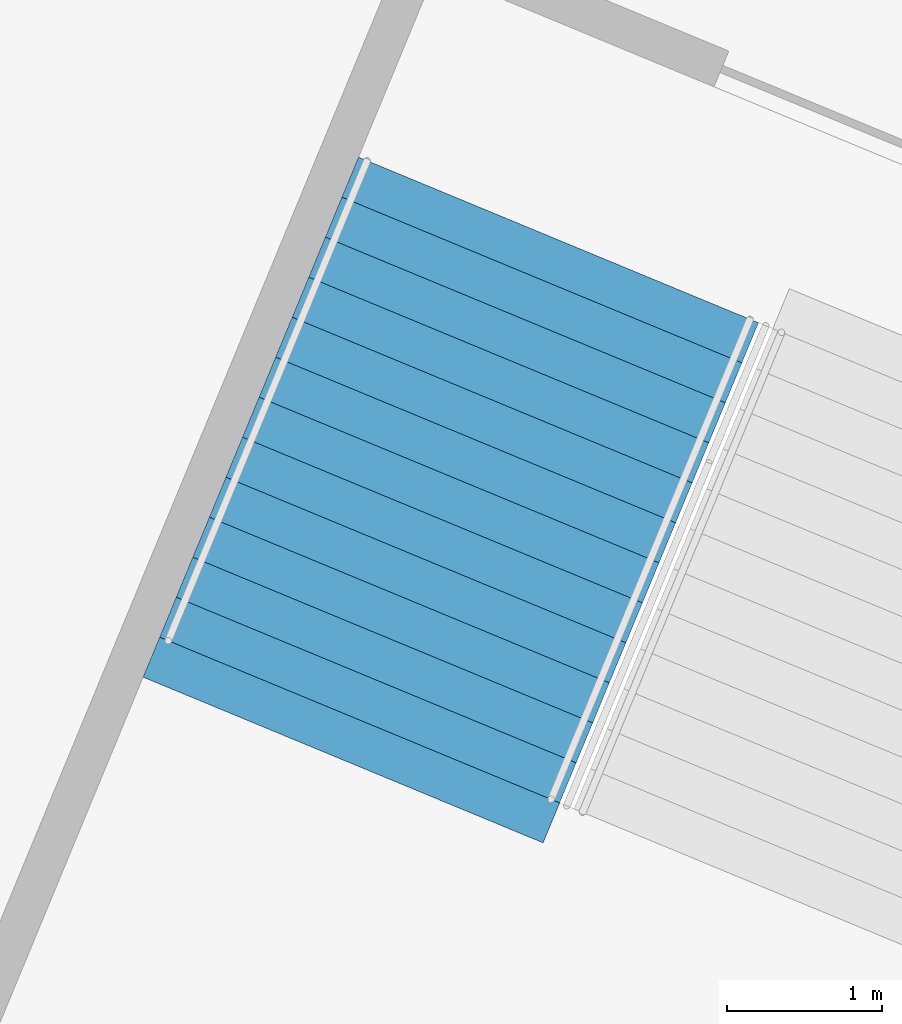
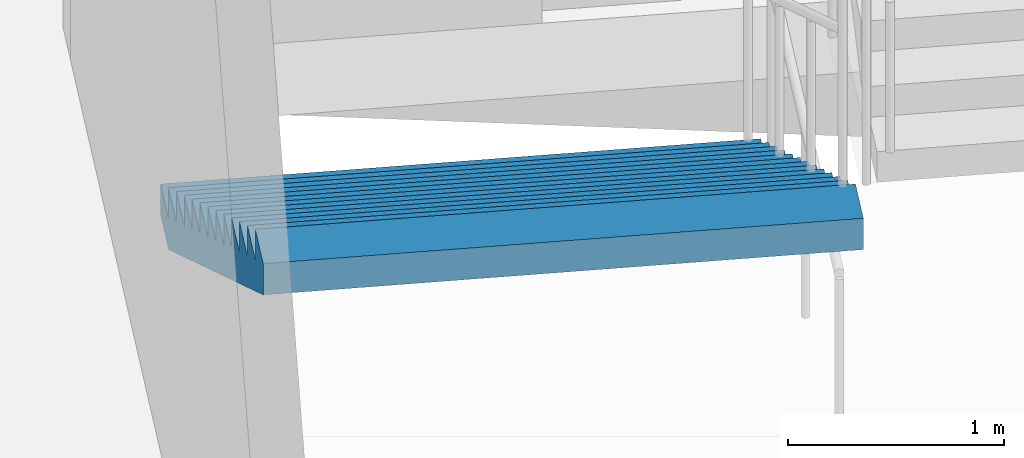
# One storey, part 129 of 249: 1 stair flight, 1 element without a shape of its own.
"""IFC4 building model written with IfcOpenShell, lengths in metres."""

from ifc_helpers import new_model, si_unit, direction, frame, origin, place, context, subcontext, project, spatial, faceted_brep, material, type_object, element, aggregate, save


model = new_model("IFC4")

# Units and contexts
model_context = context("Model", 3, precision=1e-05, world=origin(), true_north=direction((0.0, 1.0)))
body_context = subcontext(model_context, "Body", "Model", "MODEL_VIEW")
ifc_project = project(units=[si_unit("LENGTHUNIT", "METRE"), si_unit("AREAUNIT", "SQUARE_METRE"), si_unit("VOLUMEUNIT", "CUBIC_METRE"), si_unit("PLANEANGLEUNIT", "RADIAN"), si_unit("MASSUNIT", "GRAM", prefix="KILO")], contexts=[model_context])

# Site, building, storey
site_placement = place(None, origin())
site = spatial("IfcSite", under=ifc_project, at=site_placement, CompositionType="ELEMENT")
building_placement = place(site_placement, origin())
building = spatial("IfcBuilding", under=site, at=building_placement, Name="Ogive Plaza Stadium", CompositionType="ELEMENT")
storey_placement = place(building_placement, frame((0.0, 0.0, 13.5)))
storey = spatial("IfcBuildingStorey", under=building, at=storey_placement, Name="L03", CompositionType="ELEMENT", Elevation=13.5)

# Stair, stair flight
ifc_material_1 = material(Name="Concrete C40/50", Category="concrete")
stair_type = type_object("IfcStairType", Name="Exit stair", PredefinedType="STRAIGHT_RUN_STAIR", material=ifc_material_1)
stair_placement = place(storey_placement, origin())
stair = element("IfcStair", 1, at=stair_placement, inside=storey, type_object=stair_type, Name="Exit stair ST18A L03 to L04", PredefinedType="STRAIGHT_RUN_STAIR")
ifc_material_2 = material(Name="Concrete C40/50", Category="concrete")
stair_flight_type = type_object("IfcStairFlightType", Name="Exit stair flight", PredefinedType="STRAIGHT", material=ifc_material_2)
stair_flight_placement = place(storey_placement, frame((-54.294921875, -89.932861328125, 0.0), z_axis=(0.0, 0.0, 1.0), x_axis=(-0.382683432365, -0.923879532511, 0.0)))
stair_flight = element("IfcStairFlight", 2, at=stair_flight_placement, type_object=stair_flight_type, Name="ST18A flight 1", NumberOfRisers=13, NumberOfTreads=12, PredefinedType="STRAIGHT", RiserHeight=0.173076923, TreadLength=0.28, context=body_context, shape_type="Brep", body=[
    faceted_brep([(0.28515625, -1.39990234375, 0.0), (3.639892578125, -1.39990234375, 2.07373046875), (3.639892578125, -1.39990234375, 2.25), (3.360107421875, -1.39990234375, 2.25), (3.360107421875, -1.39990234375, 2.076904296875), (3.080078125, -1.39990234375, 2.076904296875), (3.080078125, -1.39990234375, 1.90380859375), (2.800048828125, -1.39990234375, 1.90380859375), (2.800048828125, -1.39990234375, 1.730712890625), (2.52001953125, -1.39990234375, 1.730712890625), (2.52001953125, -1.39990234375, 1.5576171875), (2.239990234375, -1.39990234375, 1.5576171875), (2.239990234375, -1.39990234375, 1.384521484375), (1.9599609375, -1.39990234375, 1.384521484375), (1.9599609375, -1.39990234375, 1.21142578125), (1.679931640625, -1.39990234375, 1.21142578125), (1.679931640625, -1.39990234375, 1.03857421875), (1.39990234375, -1.39990234375, 1.03857421875), (1.39990234375, -1.39990234375, 0.865478515625), (1.1201171875, -1.39990234375, 0.865478515625), (1.1201171875, -1.39990234375, 0.6923828125), (0.840087890625, -1.39990234375, 0.6923828125), (0.840087890625, -1.39990234375, 0.519287109375), (0.56005859375, -1.39990234375, 0.519287109375), (0.56005859375, -1.39990234375, 0.34619140625), (0.280029296875, -1.39990234375, 0.34619140625), (0.280029296875, -1.39990234375, 0.173095703125), (0.0, -1.39990234375, 0.173095703125), (0.0, -1.39990234375, 0.0), (0.0, 1.39990234375, 0.0), (0.0, 1.39990234375, 0.173095703125), (0.280029296875, 1.39990234375, 0.173095703125), (0.280029296875, 1.39990234375, 0.34619140625), (0.56005859375, 1.39990234375, 0.34619140625), (0.56005859375, 1.39990234375, 0.519287109375), (0.840087890625, 1.39990234375, 0.519287109375), (0.840087890625, 1.39990234375, 0.6923828125), (1.1201171875, 1.39990234375, 0.6923828125), (1.1201171875, 1.39990234375, 0.865478515625), (1.39990234375, 1.39990234375, 0.865478515625), (1.39990234375, 1.39990234375, 1.03857421875), (1.679931640625, 1.39990234375, 1.03857421875), (1.679931640625, 1.39990234375, 1.21142578125), (1.9599609375, 1.39990234375, 1.21142578125), (1.9599609375, 1.39990234375, 1.384521484375), (2.239990234375, 1.39990234375, 1.384521484375), (2.239990234375, 1.39990234375, 1.5576171875), (2.52001953125, 1.39990234375, 1.5576171875), (2.52001953125, 1.39990234375, 1.730712890625), (2.800048828125, 1.39990234375, 1.730712890625), (2.800048828125, 1.39990234375, 1.90380859375), (3.080078125, 1.39990234375, 1.90380859375), (3.080078125, 1.39990234375, 2.076904296875), (3.360107421875, 1.39990234375, 2.076904296875), (3.360107421875, 1.39990234375, 2.25), (3.639892578125, 1.39990234375, 2.25), (3.639892578125, 1.39990234375, 2.07373046875), (0.28515625, 1.39990234375, 0.0), (0.28515625, -1.0888671875, 0.0), (3.639892578125, -1.0888671875, 2.07373046875), (0.28515625, -0.77783203125, 0.0), (3.639892578125, -0.77783203125, 2.07373046875), (0.28515625, -0.466796875, 0.0), (3.639892578125, -0.466796875, 2.07373046875), (0.28515625, -0.155517578125, 0.0), (3.639892578125, -0.155517578125, 2.07373046875), (0.28515625, 0.155517578125, 0.0), (3.639892578125, 0.155517578125, 2.07373046875), (0.28515625, 0.466796875, 0.0), (3.639892578125, 0.466796875, 2.07373046875), (0.28515625, 0.77783203125, 0.0), (3.639892578125, 0.77783203125, 2.07373046875), (0.28515625, 1.0888671875, 0.0), (3.639892578125, 1.0888671875, 2.07373046875), (3.639892578125, -1.0888671875, 2.25), (3.639892578125, -0.77783203125, 2.25), (3.639892578125, -0.466796875, 2.25), (3.639892578125, -0.155517578125, 2.25), (3.639892578125, 0.155517578125, 2.25), (3.639892578125, 0.466796875, 2.25), (3.639892578125, 0.77783203125, 2.25), (3.639892578125, 1.0888671875, 2.25), (3.360107421875, -1.0888671875, 2.25), (3.360107421875, -0.77783203125, 2.25), (3.360107421875, -0.466796875, 2.25), (3.360107421875, -0.155517578125, 2.25), (3.360107421875, 0.155517578125, 2.25), (3.360107421875, 0.466796875, 2.25), (3.360107421875, 0.77783203125, 2.25), (3.360107421875, 1.0888671875, 2.25), (3.360107421875, -1.0888671875, 2.076904296875), (3.360107421875, -0.77783203125, 2.076904296875), (3.360107421875, -0.466796875, 2.076904296875), (3.360107421875, -0.155517578125, 2.076904296875), (3.360107421875, 0.155517578125, 2.076904296875), (3.360107421875, 0.466796875, 2.076904296875), (3.360107421875, 0.77783203125, 2.076904296875), (3.360107421875, 1.0888671875, 2.076904296875), (3.080078125, -1.0888671875, 2.076904296875), (3.080078125, -0.77783203125, 2.076904296875), (3.080078125, -0.466796875, 2.076904296875), (3.080078125, -0.155517578125, 2.076904296875), (3.080078125, 0.155517578125, 2.076904296875), (3.080078125, 0.466796875, 2.076904296875), (3.080078125, 0.77783203125, 2.076904296875), (3.080078125, 1.0888671875, 2.076904296875), (3.080078125, -1.0888671875, 1.90380859375), (3.080078125, -0.77783203125, 1.90380859375), (3.080078125, -0.466796875, 1.90380859375), (3.080078125, -0.155517578125, 1.90380859375), (3.080078125, 0.155517578125, 1.90380859375), (3.080078125, 0.466796875, 1.90380859375), (3.080078125, 0.77783203125, 1.90380859375), (3.080078125, 1.0888671875, 1.90380859375), (2.800048828125, -1.0888671875, 1.90380859375), (2.800048828125, -0.77783203125, 1.90380859375), (2.800048828125, -0.466796875, 1.90380859375), (2.800048828125, -0.155517578125, 1.90380859375), (2.800048828125, 0.155517578125, 1.90380859375), (2.800048828125, 0.466796875, 1.90380859375), (2.800048828125, 0.77783203125, 1.90380859375), (2.800048828125, 1.0888671875, 1.90380859375), (2.800048828125, -1.0888671875, 1.730712890625), (2.800048828125, -0.77783203125, 1.730712890625), (2.800048828125, -0.466796875, 1.730712890625), (2.800048828125, -0.155517578125, 1.730712890625), (2.800048828125, 0.155517578125, 1.730712890625), (2.800048828125, 0.466796875, 1.730712890625), (2.800048828125, 0.77783203125, 1.730712890625), (2.800048828125, 1.0888671875, 1.730712890625), (2.52001953125, -1.0888671875, 1.730712890625), (2.52001953125, -0.77783203125, 1.730712890625), (2.52001953125, -0.466796875, 1.730712890625), (2.52001953125, -0.155517578125, 1.730712890625), (2.52001953125, 0.155517578125, 1.730712890625), (2.52001953125, 0.466796875, 1.730712890625), (2.52001953125, 0.77783203125, 1.730712890625), (2.52001953125, 1.0888671875, 1.730712890625), (2.52001953125, -1.0888671875, 1.5576171875), (2.52001953125, -0.77783203125, 1.5576171875), (2.52001953125, -0.466796875, 1.5576171875), (2.52001953125, -0.155517578125, 1.5576171875), (2.52001953125, 0.155517578125, 1.5576171875), (2.52001953125, 0.466796875, 1.5576171875), (2.52001953125, 0.77783203125, 1.5576171875), (2.52001953125, 1.0888671875, 1.5576171875), (2.239990234375, -1.0888671875, 1.5576171875), (2.239990234375, -0.77783203125, 1.5576171875), (2.239990234375, -0.466796875, 1.5576171875), (2.239990234375, -0.155517578125, 1.5576171875), (2.239990234375, 0.155517578125, 1.5576171875), (2.239990234375, 0.466796875, 1.5576171875), (2.239990234375, 0.77783203125, 1.5576171875), (2.239990234375, 1.0888671875, 1.5576171875), (2.239990234375, -1.0888671875, 1.384521484375), (2.239990234375, -0.77783203125, 1.384521484375), (2.239990234375, -0.466796875, 1.384521484375), (2.239990234375, -0.155517578125, 1.384521484375), (2.239990234375, 0.155517578125, 1.384521484375), (2.239990234375, 0.466796875, 1.384521484375), (2.239990234375, 0.77783203125, 1.384521484375), (2.239990234375, 1.0888671875, 1.384521484375), (1.9599609375, -1.0888671875, 1.384521484375), (1.9599609375, -0.77783203125, 1.384521484375), (1.9599609375, -0.466796875, 1.384521484375), (1.9599609375, -0.155517578125, 1.384521484375), (1.9599609375, 0.155517578125, 1.384521484375), (1.9599609375, 0.466796875, 1.384521484375), (1.9599609375, 0.77783203125, 1.384521484375), (1.9599609375, 1.0888671875, 1.384521484375), (1.9599609375, -1.0888671875, 1.21142578125), (1.9599609375, -0.77783203125, 1.21142578125), (1.9599609375, -0.466796875, 1.21142578125), (1.9599609375, -0.155517578125, 1.21142578125), (1.9599609375, 0.155517578125, 1.21142578125), (1.9599609375, 0.466796875, 1.21142578125), (1.9599609375, 0.77783203125, 1.21142578125), (1.9599609375, 1.0888671875, 1.21142578125), (1.679931640625, -1.0888671875, 1.21142578125), (1.679931640625, -0.77783203125, 1.21142578125), (1.679931640625, -0.466796875, 1.21142578125), (1.679931640625, -0.155517578125, 1.21142578125), (1.679931640625, 0.155517578125, 1.21142578125), (1.679931640625, 0.466796875, 1.21142578125), (1.679931640625, 0.77783203125, 1.21142578125), (1.679931640625, 1.0888671875, 1.21142578125), (1.679931640625, -1.0888671875, 1.03857421875), (1.679931640625, -0.77783203125, 1.03857421875), (1.679931640625, -0.466796875, 1.03857421875), (1.679931640625, -0.155517578125, 1.03857421875), (1.679931640625, 0.155517578125, 1.03857421875), (1.679931640625, 0.466796875, 1.03857421875), (1.679931640625, 0.77783203125, 1.03857421875), (1.679931640625, 1.0888671875, 1.03857421875), (1.39990234375, -1.0888671875, 1.03857421875), (1.39990234375, -0.77783203125, 1.03857421875), (1.39990234375, -0.466796875, 1.03857421875), (1.39990234375, -0.155517578125, 1.03857421875), (1.39990234375, 0.155517578125, 1.03857421875), (1.39990234375, 0.466796875, 1.03857421875), (1.39990234375, 0.77783203125, 1.03857421875), (1.39990234375, 1.0888671875, 1.03857421875), (1.39990234375, -1.0888671875, 0.865478515625), (1.39990234375, -0.77783203125, 0.865478515625), (1.39990234375, -0.466796875, 0.865478515625), (1.39990234375, -0.155517578125, 0.865478515625), (1.39990234375, 0.155517578125, 0.865478515625), (1.39990234375, 0.466796875, 0.865478515625), (1.39990234375, 0.77783203125, 0.865478515625), (1.39990234375, 1.0888671875, 0.865478515625), (1.1201171875, -1.0888671875, 0.865478515625), (1.1201171875, -0.77783203125, 0.865478515625), (1.1201171875, -0.466796875, 0.865478515625), (1.1201171875, -0.155517578125, 0.865478515625), (1.1201171875, 0.155517578125, 0.865478515625), (1.1201171875, 0.466796875, 0.865478515625), (1.1201171875, 0.77783203125, 0.865478515625), (1.1201171875, 1.0888671875, 0.865478515625), (1.1201171875, -1.0888671875, 0.6923828125), (1.1201171875, -0.77783203125, 0.6923828125), (1.1201171875, -0.466796875, 0.6923828125), (1.1201171875, -0.155517578125, 0.6923828125), (1.1201171875, 0.155517578125, 0.6923828125), (1.1201171875, 0.466796875, 0.6923828125), (1.1201171875, 0.77783203125, 0.6923828125), (1.1201171875, 1.0888671875, 0.6923828125), (0.840087890625, -1.0888671875, 0.6923828125), (0.840087890625, -0.77783203125, 0.6923828125), (0.840087890625, -0.466796875, 0.6923828125), (0.840087890625, -0.155517578125, 0.6923828125), (0.840087890625, 0.155517578125, 0.6923828125), (0.840087890625, 0.466796875, 0.6923828125), (0.840087890625, 0.77783203125, 0.6923828125), (0.840087890625, 1.0888671875, 0.6923828125), (0.840087890625, -1.0888671875, 0.519287109375), (0.840087890625, -0.77783203125, 0.519287109375), (0.840087890625, -0.466796875, 0.519287109375), (0.840087890625, -0.155517578125, 0.519287109375), (0.840087890625, 0.155517578125, 0.519287109375), (0.840087890625, 0.466796875, 0.519287109375), (0.840087890625, 0.77783203125, 0.519287109375), (0.840087890625, 1.0888671875, 0.519287109375), (0.56005859375, -1.0888671875, 0.519287109375), (0.56005859375, -0.77783203125, 0.519287109375), (0.56005859375, -0.466796875, 0.519287109375), (0.56005859375, -0.155517578125, 0.519287109375), (0.56005859375, 0.155517578125, 0.519287109375), (0.56005859375, 0.466796875, 0.519287109375), (0.56005859375, 0.77783203125, 0.519287109375), (0.56005859375, 1.0888671875, 0.519287109375), (0.56005859375, -1.0888671875, 0.34619140625), (0.56005859375, -0.77783203125, 0.34619140625), (0.56005859375, -0.466796875, 0.34619140625), (0.56005859375, -0.155517578125, 0.34619140625), (0.56005859375, 0.155517578125, 0.34619140625), (0.56005859375, 0.466796875, 0.34619140625), (0.56005859375, 0.77783203125, 0.34619140625), (0.56005859375, 1.0888671875, 0.34619140625), (0.280029296875, -1.0888671875, 0.34619140625), (0.280029296875, -0.77783203125, 0.34619140625), (0.280029296875, -0.466796875, 0.34619140625), (0.280029296875, -0.155517578125, 0.34619140625), (0.280029296875, 0.155517578125, 0.34619140625), (0.280029296875, 0.466796875, 0.34619140625), (0.280029296875, 0.77783203125, 0.34619140625), (0.280029296875, 1.0888671875, 0.34619140625), (0.280029296875, -1.0888671875, 0.173095703125), (0.280029296875, -0.77783203125, 0.173095703125), (0.280029296875, -0.466796875, 0.173095703125), (0.280029296875, -0.155517578125, 0.173095703125), (0.280029296875, 0.155517578125, 0.173095703125), (0.280029296875, 0.466796875, 0.173095703125), (0.280029296875, 0.77783203125, 0.173095703125), (0.280029296875, 1.0888671875, 0.173095703125), (0.0, -1.0888671875, 0.173095703125), (0.0, -0.77783203125, 0.173095703125), (0.0, -0.466796875, 0.173095703125), (0.0, -0.155517578125, 0.173095703125), (0.0, 0.155517578125, 0.173095703125), (0.0, 0.466796875, 0.173095703125), (0.0, 0.77783203125, 0.173095703125), (0.0, 1.0888671875, 0.173095703125), (0.0, -1.0888671875, 0.0), (0.0, -0.77783203125, 0.0), (0.0, -0.466796875, 0.0), (0.0, -0.155517578125, 0.0), (0.0, 0.155517578125, 0.0), (0.0, 0.466796875, 0.0), (0.0, 0.77783203125, 0.0), (0.0, 1.0888671875, 0.0)], [[[0, 1, 2, 3, 4, 5, 6, 7, 8, 9, 10, 11, 12, 13, 14, 15, 16, 17, 18, 19, 20, 21, 22, 23, 24, 25, 26, 27, 28]], [[29, 30, 31, 32, 33, 34, 35, 36, 37, 38, 39, 40, 41, 42, 43, 44, 45, 46, 47, 48, 49, 50, 51, 52, 53, 54, 55, 56, 57]], [[0, 58, 59, 1]], [[58, 60, 61, 59]], [[60, 62, 63, 61]], [[62, 64, 65, 63]], [[64, 66, 67, 65]], [[66, 68, 69, 67]], [[68, 70, 71, 69]], [[70, 72, 73, 71]], [[72, 57, 56, 73]], [[1, 59, 74, 2]], [[59, 61, 75, 74]], [[61, 63, 76, 75]], [[63, 65, 77, 76]], [[65, 67, 78, 77]], [[67, 69, 79, 78]], [[69, 71, 80, 79]], [[71, 73, 81, 80]], [[73, 56, 55, 81]], [[2, 74, 82, 3]], [[74, 75, 83, 82]], [[75, 76, 84, 83]], [[76, 77, 85, 84]], [[77, 78, 86, 85]], [[78, 79, 87, 86]], [[79, 80, 88, 87]], [[80, 81, 89, 88]], [[81, 55, 54, 89]], [[3, 82, 90, 4]], [[82, 83, 91, 90]], [[83, 84, 92, 91]], [[84, 85, 93, 92]], [[85, 86, 94, 93]], [[86, 87, 95, 94]], [[87, 88, 96, 95]], [[88, 89, 97, 96]], [[89, 54, 53, 97]], [[4, 90, 98, 5]], [[90, 91, 99, 98]], [[91, 92, 100, 99]], [[92, 93, 101, 100]], [[93, 94, 102, 101]], [[94, 95, 103, 102]], [[95, 96, 104, 103]], [[96, 97, 105, 104]], [[97, 53, 52, 105]], [[5, 98, 106, 6]], [[98, 99, 107, 106]], [[99, 100, 108, 107]], [[100, 101, 109, 108]], [[101, 102, 110, 109]], [[102, 103, 111, 110]], [[103, 104, 112, 111]], [[104, 105, 113, 112]], [[105, 52, 51, 113]], [[6, 106, 114, 7]], [[106, 107, 115, 114]], [[107, 108, 116, 115]], [[108, 109, 117, 116]], [[109, 110, 118, 117]], [[110, 111, 119, 118]], [[111, 112, 120, 119]], [[112, 113, 121, 120]], [[113, 51, 50, 121]], [[7, 114, 122, 8]], [[114, 115, 123, 122]], [[115, 116, 124, 123]], [[116, 117, 125, 124]], [[117, 118, 126, 125]], [[118, 119, 127, 126]], [[119, 120, 128, 127]], [[120, 121, 129, 128]], [[121, 50, 49, 129]], [[8, 122, 130, 9]], [[122, 123, 131, 130]], [[123, 124, 132, 131]], [[124, 125, 133, 132]], [[125, 126, 134, 133]], [[126, 127, 135, 134]], [[127, 128, 136, 135]], [[128, 129, 137, 136]], [[129, 49, 48, 137]], [[9, 130, 138, 10]], [[130, 131, 139, 138]], [[131, 132, 140, 139]], [[132, 133, 141, 140]], [[133, 134, 142, 141]], [[134, 135, 143, 142]], [[135, 136, 144, 143]], [[136, 137, 145, 144]], [[137, 48, 47, 145]], [[10, 138, 146, 11]], [[138, 139, 147, 146]], [[139, 140, 148, 147]], [[140, 141, 149, 148]], [[141, 142, 150, 149]], [[142, 143, 151, 150]], [[143, 144, 152, 151]], [[144, 145, 153, 152]], [[145, 47, 46, 153]], [[11, 146, 154, 12]], [[146, 147, 155, 154]], [[147, 148, 156, 155]], [[148, 149, 157, 156]], [[149, 150, 158, 157]], [[150, 151, 159, 158]], [[151, 152, 160, 159]], [[152, 153, 161, 160]], [[153, 46, 45, 161]], [[12, 154, 162, 13]], [[154, 155, 163, 162]], [[155, 156, 164, 163]], [[156, 157, 165, 164]], [[157, 158, 166, 165]], [[158, 159, 167, 166]], [[159, 160, 168, 167]], [[160, 161, 169, 168]], [[161, 45, 44, 169]], [[13, 162, 170, 14]], [[162, 163, 171, 170]], [[163, 164, 172, 171]], [[164, 165, 173, 172]], [[165, 166, 174, 173]], [[166, 167, 175, 174]], [[167, 168, 176, 175]], [[168, 169, 177, 176]], [[169, 44, 43, 177]], [[14, 170, 178, 15]], [[170, 171, 179, 178]], [[171, 172, 180, 179]], [[172, 173, 181, 180]], [[173, 174, 182, 181]], [[174, 175, 183, 182]], [[175, 176, 184, 183]], [[176, 177, 185, 184]], [[177, 43, 42, 185]], [[15, 178, 186, 16]], [[178, 179, 187, 186]], [[179, 180, 188, 187]], [[180, 181, 189, 188]], [[181, 182, 190, 189]], [[182, 183, 191, 190]], [[183, 184, 192, 191]], [[184, 185, 193, 192]], [[185, 42, 41, 193]], [[16, 186, 194, 17]], [[186, 187, 195, 194]], [[187, 188, 196, 195]], [[188, 189, 197, 196]], [[189, 190, 198, 197]], [[190, 191, 199, 198]], [[191, 192, 200, 199]], [[192, 193, 201, 200]], [[193, 41, 40, 201]], [[17, 194, 202, 18]], [[194, 195, 203, 202]], [[195, 196, 204, 203]], [[196, 197, 205, 204]], [[197, 198, 206, 205]], [[198, 199, 207, 206]], [[199, 200, 208, 207]], [[200, 201, 209, 208]], [[201, 40, 39, 209]], [[18, 202, 210, 19]], [[202, 203, 211, 210]], [[203, 204, 212, 211]], [[204, 205, 213, 212]], [[205, 206, 214, 213]], [[206, 207, 215, 214]], [[207, 208, 216, 215]], [[208, 209, 217, 216]], [[209, 39, 38, 217]], [[19, 210, 218, 20]], [[210, 211, 219, 218]], [[211, 212, 220, 219]], [[212, 213, 221, 220]], [[213, 214, 222, 221]], [[214, 215, 223, 222]], [[215, 216, 224, 223]], [[216, 217, 225, 224]], [[217, 38, 37, 225]], [[20, 218, 226, 21]], [[218, 219, 227, 226]], [[219, 220, 228, 227]], [[220, 221, 229, 228]], [[221, 222, 230, 229]], [[222, 223, 231, 230]], [[223, 224, 232, 231]], [[224, 225, 233, 232]], [[225, 37, 36, 233]], [[21, 226, 234, 22]], [[226, 227, 235, 234]], [[227, 228, 236, 235]], [[228, 229, 237, 236]], [[229, 230, 238, 237]], [[230, 231, 239, 238]], [[231, 232, 240, 239]], [[232, 233, 241, 240]], [[233, 36, 35, 241]], [[22, 234, 242, 23]], [[234, 235, 243, 242]], [[235, 236, 244, 243]], [[236, 237, 245, 244]], [[237, 238, 246, 245]], [[238, 239, 247, 246]], [[239, 240, 248, 247]], [[240, 241, 249, 248]], [[241, 35, 34, 249]], [[23, 242, 250, 24]], [[242, 243, 251, 250]], [[243, 244, 252, 251]], [[244, 245, 253, 252]], [[245, 246, 254, 253]], [[246, 247, 255, 254]], [[247, 248, 256, 255]], [[248, 249, 257, 256]], [[249, 34, 33, 257]], [[24, 250, 258, 25]], [[250, 251, 259, 258]], [[251, 252, 260, 259]], [[252, 253, 261, 260]], [[253, 254, 262, 261]], [[254, 255, 263, 262]], [[255, 256, 264, 263]], [[256, 257, 265, 264]], [[257, 33, 32, 265]], [[25, 258, 266, 26]], [[258, 259, 267, 266]], [[259, 260, 268, 267]], [[260, 261, 269, 268]], [[261, 262, 270, 269]], [[262, 263, 271, 270]], [[263, 264, 272, 271]], [[264, 265, 273, 272]], [[265, 32, 31, 273]], [[26, 266, 274, 27]], [[266, 267, 275, 274]], [[267, 268, 276, 275]], [[268, 269, 277, 276]], [[269, 270, 278, 277]], [[270, 271, 279, 278]], [[271, 272, 280, 279]], [[272, 273, 281, 280]], [[273, 31, 30, 281]], [[27, 274, 282, 28]], [[274, 275, 283, 282]], [[275, 276, 284, 283]], [[276, 277, 285, 284]], [[277, 278, 286, 285]], [[278, 279, 287, 286]], [[279, 280, 288, 287]], [[280, 281, 289, 288]], [[281, 30, 29, 289]], [[28, 282, 58, 0]], [[282, 283, 60, 58]], [[283, 284, 62, 60]], [[284, 285, 64, 62]], [[285, 286, 66, 64]], [[286, 287, 68, 66]], [[287, 288, 70, 68]], [[288, 289, 72, 70]], [[289, 29, 57, 72]]]),
])
aggregate(stair, [stair_flight])

save(model, "model.ifc")
